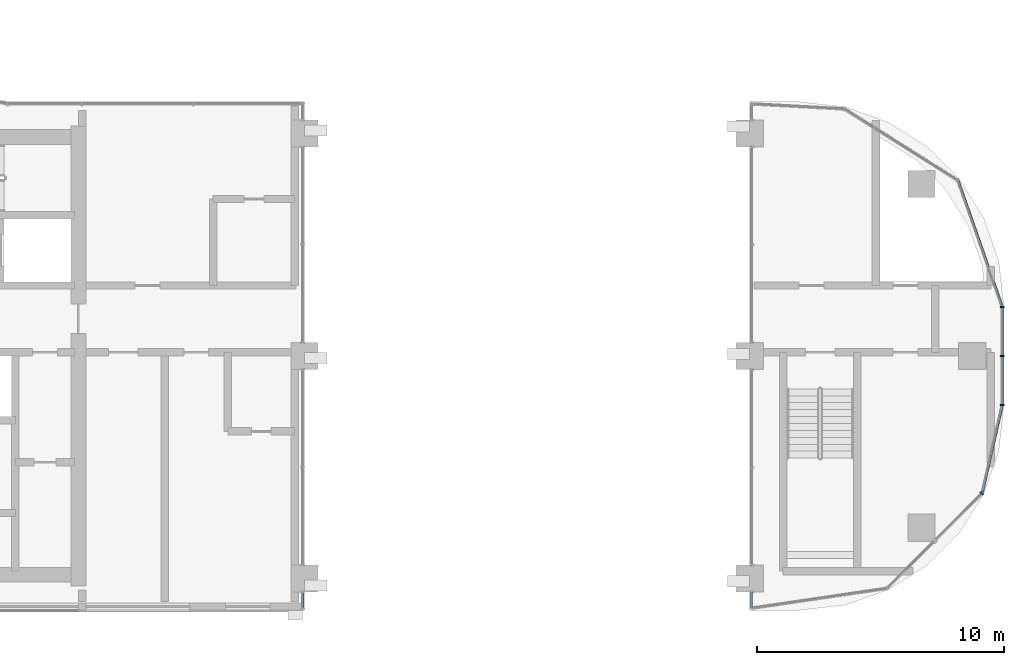
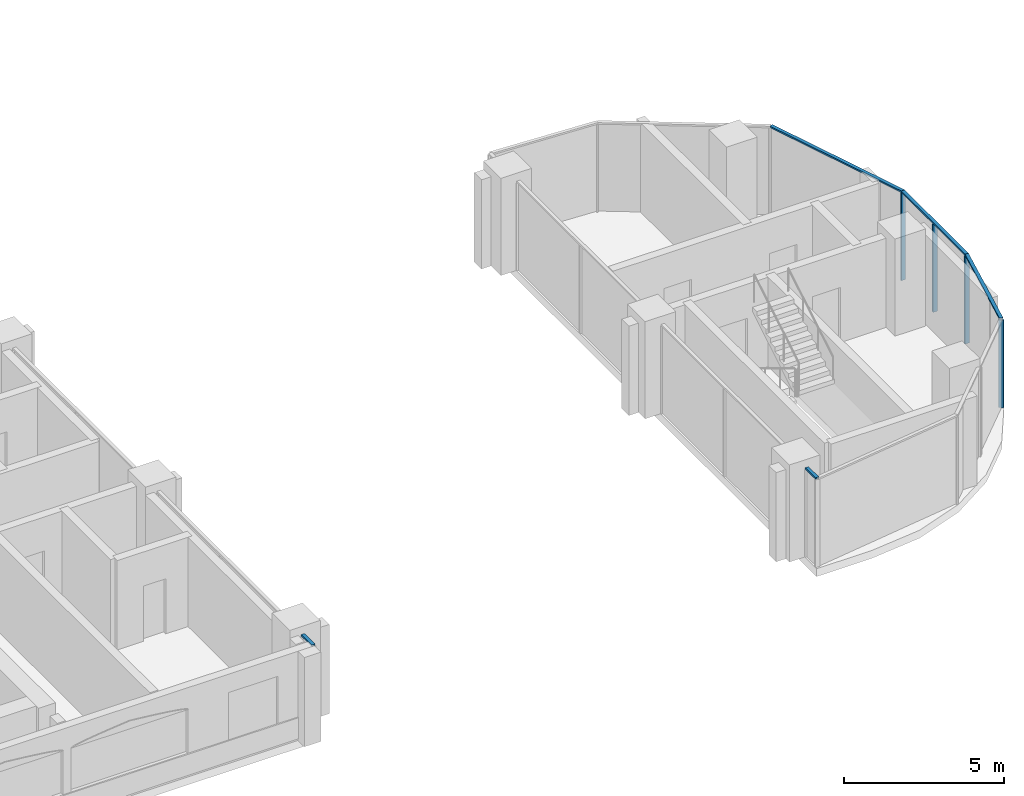
# One storey, part 6 of 23: 9 members, 5 elements without a shape of their own.
"""IFC4 building model written with IfcOpenShell, lengths in metres."""

from ifc_helpers import new_model, si_unit, direction, frame, origin, origin_2d, place, context, subcontext, project, spatial, rectangle, extrude, material, material_profile, profile_set, type_object, element, aggregate, save


model = new_model("IFC4")

# Units and contexts
model_context = context("Model", 3, precision=1e-05, world=origin(), true_north=direction((0.0, 1.0)))
body_context = subcontext(model_context, "Body", "Model", "MODEL_VIEW")
ifc_project = project(units=[si_unit("LENGTHUNIT", "METRE"), si_unit("AREAUNIT", "SQUARE_METRE"), si_unit("VOLUMEUNIT", "CUBIC_METRE"), si_unit("PLANEANGLEUNIT", "RADIAN"), si_unit("MASSUNIT", "GRAM", prefix="KILO")], contexts=[model_context])

# Site, building, storey
site_placement = place(None, origin())
site = spatial("IfcSite", under=ifc_project, at=site_placement, CompositionType="ELEMENT")
building_placement = place(site_placement, origin())
building = spatial("IfcBuilding", under=site, at=building_placement, Name="Ogive Portal Towers", CompositionType="ELEMENT")
storey_placement = place(building_placement, frame((0.0, 0.0, 164.39990234375)))
storey = spatial("IfcBuildingStorey", under=building, at=storey_placement, Name="L40", CompositionType="ELEMENT", Elevation=164.39990234375)

# Curtain wall, members
ifc_material_1 = material(Name="Glass, clear low-iron insulated glazing", Category="glass")
curtain_wall_type_1 = type_object("IfcCurtainWallType", Name="CW FRONT RIBBON 4500", PredefinedType="NOTDEFINED", material=ifc_material_1)
curtain_wall_1_placement = place(storey_placement, origin())
curtain_wall_1 = element("IfcCurtainWall", 1, at=curtain_wall_1_placement, inside=storey, type_object=curtain_wall_type_1, Name="A:L40:f26:cw0", PredefinedType="NOTDEFINED")
ifc_material_2 = material(Name="Aluminium 6063 anodised", Category="aluminium")
ifc_material_profile_1 = material_profile(ifc_material_2, rectangle(XDim=0.159912109375, YDim=0.06005859375, at=origin_2d()), Name="AL 60x160")
ifc_profile_set_1 = profile_set([ifc_material_profile_1], Name="Aluminium 6063 anodised")
member_type_1 = type_object("IfcMemberType", Name="CW MULLION 60x160", PredefinedType="MULLION", material=ifc_profile_set_1)
member_1_placement = place(storey_placement, frame((95.705078125, 28.509033203125, 0.0), z_axis=(0.0, 0.0, 1.0), x_axis=(-1.0, 0.0, 0.0)))
member_1 = element("IfcMember", 2, at=member_1_placement, type_object=member_type_1, Name="mullion", PredefinedType="MULLION", context=body_context, shape_type="SweptSolid", body=[
    extrude(rectangle(XDim=0.159912109375, YDim=0.06005859375, at=origin_2d()), origin(), (0.0, 0.0, 1.0), 3.340087890625),
])
member_2_placement = place(storey_placement, frame((95.705078125, 30.5, 0.0), z_axis=(0.0, 0.0, 1.0), x_axis=(-1.0, 0.0, 0.0)))
member_2 = element("IfcMember", 3, at=member_2_placement, type_object=member_type_1, Name="mullion", PredefinedType="MULLION", context=body_context, shape_type="SweptSolid", body=[
    extrude(rectangle(XDim=0.159912109375, YDim=0.06005859375, at=origin_2d()), origin(), (0.0, 0.0, 1.0), 3.340087890625),
])
member_3_placement = place(storey_placement, frame((95.705078125, 32.486328125, 0.0), z_axis=(0.0, 0.0, 1.0), x_axis=(-1.0, 0.0, 0.0)))
member_3 = element("IfcMember", 4, at=member_3_placement, type_object=member_type_1, Name="mullion", PredefinedType="MULLION", context=body_context, shape_type="SweptSolid", body=[
    extrude(rectangle(XDim=0.159912109375, YDim=0.06005859375, at=origin_2d()), origin(), (0.0, 0.0, 1.0), 3.340087890625),
])

# Curtain wall, member
curtain_wall_2_placement = place(storey_placement, origin())
curtain_wall_2 = element("IfcCurtainWall", 5, at=curtain_wall_2_placement, inside=storey, type_object=curtain_wall_type_1, Name="A:L40:f23:cwa~1", PredefinedType="NOTDEFINED")
member_4_placement = place(storey_placement, frame((94.8916015625, 24.945556640625, 0.0), z_axis=(0.0, 0.0, 1.0), x_axis=(-0.707106781187, 0.707106781187, 0.0)))
member_4 = element("IfcMember", 6, at=member_4_placement, type_object=member_type_1, Name="mullion", PredefinedType="MULLION", context=body_context, shape_type="SweptSolid", body=[
    extrude(rectangle(XDim=0.159912109375, YDim=0.06005859375, at=origin_2d()), origin(), (0.0, 0.0, 1.0), 3.340087890625),
])

curtain_wall_type_2 = type_object("IfcCurtainWallType", Name="CW PORTAL REVEAL", PredefinedType="NOTDEFINED", material=ifc_material_1)
curtain_wall_3_placement = place(storey_placement, origin())
curtain_wall_3 = element("IfcCurtainWall", 7, at=curtain_wall_3_placement, inside=storey, type_object=curtain_wall_type_2, Name="A:L40:f06:cw0~0", PredefinedType="NOTDEFINED")
ifc_material_profile_2 = material_profile(ifc_material_2, rectangle(XDim=0.1201171875, YDim=0.06005859375, at=origin_2d()), Name="AL 120x60")
ifc_profile_set_2 = profile_set([ifc_material_profile_2], Name="Aluminium 6063 anodised")
member_type_2 = type_object("IfcMemberType", Name="CW TRANSOM 60x120", PredefinedType="USERDEFINED", material=ifc_profile_set_2)
member_5_placement = place(storey_placement, frame((67.419921875, 20.294921875, 3.3701171875), z_axis=(0.0, 1.0, 0.0), x_axis=(-1.0, 0.0, 0.0)))
member_5 = element("IfcMember", 8, at=member_5_placement, type_object=member_type_2, Name="transom", ObjectType="TRANSOM", PredefinedType="USERDEFINED", context=body_context, shape_type="SweptSolid", body=[
    extrude(rectangle(XDim=0.1201171875, YDim=0.06005859375, at=origin_2d()), origin(), (0.0, 0.0, 1.0), 0.655029296875),
])
aggregate(curtain_wall_3, [member_5])

curtain_wall_4_placement = place(storey_placement, origin())
curtain_wall_4 = element("IfcCurtainWall", 9, at=curtain_wall_4_placement, inside=storey, type_object=curtain_wall_type_2, Name="A:L40:f22:cw0~3", PredefinedType="NOTDEFINED")
member_6_placement = place(storey_placement, frame((85.580078125, 20.949951171875, 3.3701171875), z_axis=(0.0, -1.0, 0.0), x_axis=(1.0, 0.0, 0.0)))
member_6 = element("IfcMember", 10, at=member_6_placement, type_object=member_type_2, Name="transom", ObjectType="TRANSOM", PredefinedType="USERDEFINED", context=body_context, shape_type="SweptSolid", body=[
    extrude(rectangle(XDim=0.1201171875, YDim=0.06005859375, at=origin_2d()), origin(), (0.0, 0.0, 1.0), 0.642333984375),
])
aggregate(curtain_wall_4, [member_6])

# Member
member_7_placement = place(storey_placement, frame((95.705078125, 28.509033203125, 3.3701171875), z_axis=(0.0, 1.0, 0.0), x_axis=(-1.0, 0.0, 0.0)))
member_7 = element("IfcMember", 11, at=member_7_placement, type_object=member_type_2, Name="transom", ObjectType="TRANSOM", PredefinedType="USERDEFINED", context=body_context, shape_type="SweptSolid", body=[
    extrude(rectangle(XDim=0.1201171875, YDim=0.06005859375, at=origin_2d()), origin(), (0.0, 0.0, 1.0), 3.977294921875),
])

aggregate(curtain_wall_1, [member_7, member_1, member_2, member_3])

member_8_placement = place(storey_placement, frame((94.8916015625, 24.945556640625, 3.3701171875), z_axis=(0.2225563749, 0.97491982234, 0.0), x_axis=(-0.97491982234, 0.2225563749, 0.0)))
member_8 = element("IfcMember", 12, at=member_8_placement, type_object=member_type_2, Name="transom", ObjectType="TRANSOM", PredefinedType="USERDEFINED", context=body_context, shape_type="SweptSolid", body=[
    extrude(rectangle(XDim=0.1201171875, YDim=0.06005859375, at=origin_2d()), origin(), (0.0, 0.0, 1.0), 3.655029296875),
])

aggregate(curtain_wall_2, [member_8, member_4])

# Curtain wall, member
curtain_wall_5_placement = place(storey_placement, origin())
curtain_wall_5 = element("IfcCurtainWall", 13, at=curtain_wall_5_placement, inside=storey, type_object=curtain_wall_type_1, Name="A:L40:f27:cwa", PredefinedType="NOTDEFINED")
member_9_placement = place(storey_placement, frame((95.705078125, 32.486328125, 3.3701171875), z_axis=(-0.33029836541, 0.943876575516, 0.0), x_axis=(-0.943876575516, -0.33029836541, 0.0)))
member_9 = element("IfcMember", 14, at=member_9_placement, type_object=member_type_2, Name="transom", ObjectType="TRANSOM", PredefinedType="USERDEFINED", context=body_context, shape_type="SweptSolid", body=[
    extrude(rectangle(XDim=0.1201171875, YDim=0.06005859375, at=origin_2d()), origin(), (0.0, 0.0, 1.0), 5.431396484375),
])
aggregate(curtain_wall_5, [member_9])

save(model, "model.ifc")
